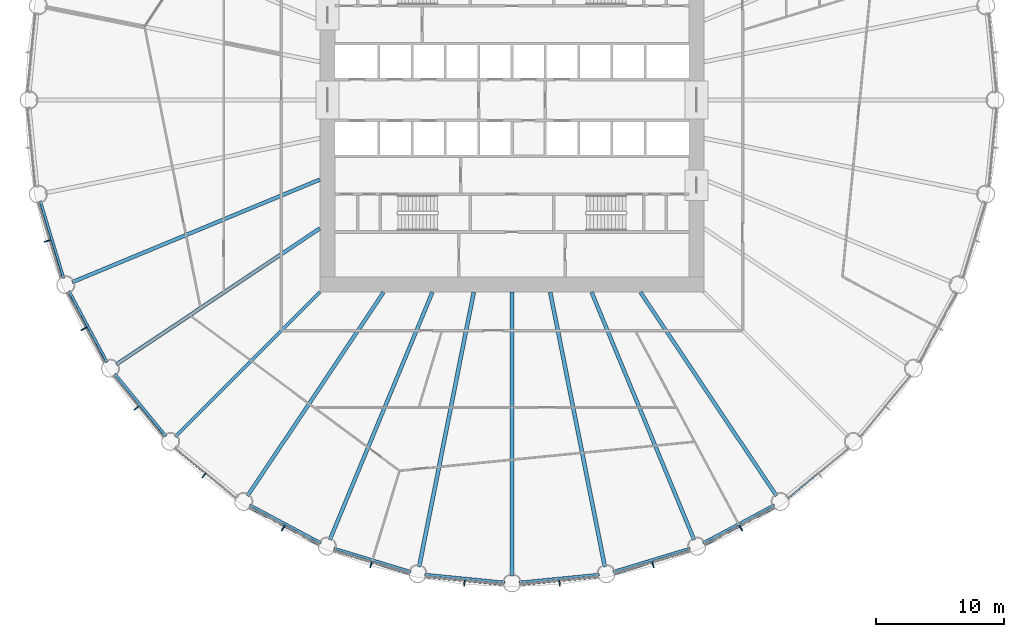
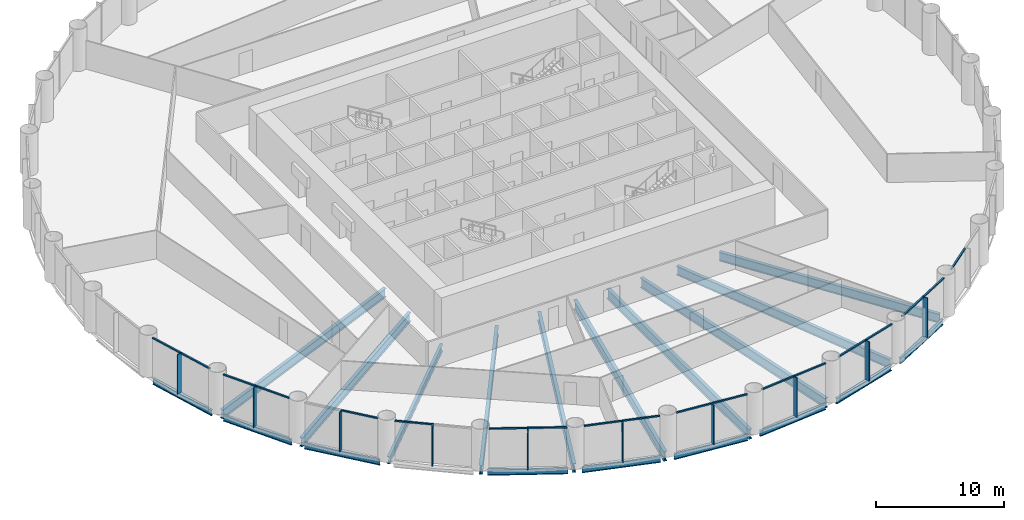
# One storey, part 2 of 14: 29 members, 19 beams, 11 elements without a shape of their own.
"""IFC4 building model written with IfcOpenShell, lengths in metres."""

from ifc_helpers import new_model, si_unit, direction, frame, origin, origin_2d, place, context, subcontext, project, spatial, rectangle, i_section, extrude, material, material_profile, profile_set, type_object, element, aggregate, save


model = new_model("IFC4")

# Units and contexts
model_context = context("Model", 3, precision=1e-05, world=origin(), true_north=direction((0.0, 1.0)))
body_context = subcontext(model_context, "Body", "Model", "MODEL_VIEW")
ifc_project = project(units=[si_unit("LENGTHUNIT", "METRE"), si_unit("AREAUNIT", "SQUARE_METRE"), si_unit("VOLUMEUNIT", "CUBIC_METRE"), si_unit("PLANEANGLEUNIT", "RADIAN"), si_unit("MASSUNIT", "GRAM", prefix="KILO")], contexts=[model_context])

# Site, building, storey
site_placement = place(None, origin())
site = spatial("IfcSite", under=ifc_project, at=site_placement, CompositionType="ELEMENT")
building_placement = place(site_placement, origin())
building = spatial("IfcBuilding", under=site, at=building_placement, Name="Corvane Civic Tower", CompositionType="ELEMENT")
storey_placement = place(building_placement, frame((0.0, 0.0, 49.0)))
storey = spatial("IfcBuildingStorey", under=building, at=storey_placement, Name="L10", CompositionType="ELEMENT", Elevation=49.0)

# Beams
ifc_material_1 = material(Name="Steel ASTM A992 Gr 50", Category="steel")
ifc_material_profile_1 = material_profile(ifc_material_1, i_section(OverallWidth=0.209228515625, OverallDepth=0.533447265625, WebThickness=0.01025390625, FlangeThickness=0.015625, at=origin_2d()), Name="W21X62")
ifc_profile_set_1 = profile_set([ifc_material_profile_1], Name="Steel ASTM A992 Gr 50")
beam_type_1 = type_object("IfcBeamType", Name="EDGE BEAM W21X62", PredefinedType="BEAM", material=ifc_profile_set_1)
for number, where, z_axis, x_axis, name in (
    (1, (20.4599609375, -31.605712890625, -0.566650390625), (-0.881916367906, -0.471405897311, 0.0), (0.471405897311, -0.881916367906, 0.0), "BM-L10-E14"),
    (2, (13.90087890625, -34.989990234375, -0.566650390625), (-0.956943740748, -0.290273452184, 0.0), (0.290273452184, -0.956943740748, 0.0), "BM-L10-E15"),
):
    element("IfcBeam", number, at=place(storey_placement, frame(where, z_axis=z_axis, x_axis=x_axis)), inside=storey, type_object=beam_type_1, Name=name, PredefinedType="BEAM", context=body_context, shape_type="SweptSolid", body=[
        extrude(i_section(OverallWidth=0.209228515625, OverallDepth=0.533447265625, WebThickness=0.01025390625, FlangeThickness=0.015625, at=origin_2d()), origin(), (0.0, 0.0, 1.0), 6.290283203125),
    ])
for number, where, z_axis, x_axis, name in (
    (3, (6.8076171875, -37.029541015625, -0.566650390625), (-0.995186682089, -0.097997284622, 0.0), (0.097997284622, -0.995186682089, 0.0), "BM-L10-E16"),
    (4, (-0.54736328125, -37.64599609375, -0.566650390625), (-0.995186682089, 0.097997284622, 0.0), (-0.097997284622, -0.995186682089, 0.0), "BM-L10-E17"),
):
    element("IfcBeam", number, at=place(storey_placement, frame(where, z_axis=z_axis, x_axis=x_axis)), inside=storey, type_object=beam_type_1, Name=name, PredefinedType="BEAM", context=body_context, shape_type="SweptSolid", body=[
        extrude(i_section(OverallWidth=0.209228515625, OverallDepth=0.533447265625, WebThickness=0.01025390625, FlangeThickness=0.015625, at=origin_2d()), origin(), (0.0, 0.0, 1.0), 6.29052734375),
    ])
for number, where, z_axis, x_axis, name in (
    (5, (-7.88134765625, -36.81591796875, -0.566650390625), (-0.956943740748, 0.290273452184, 0.0), (-0.290273452184, -0.956943740748, 0.0), "BM-L10-E18"),
    (6, (-14.912353515625, -34.571044921875, -0.566650390625), (-0.881916367906, 0.471405897311, 0.0), (-0.471405897311, -0.881916367906, 0.0), "BM-L10-E19"),
):
    element("IfcBeam", number, at=place(storey_placement, frame(where, z_axis=z_axis, x_axis=x_axis)), inside=storey, type_object=beam_type_1, Name=name, PredefinedType="BEAM", context=body_context, shape_type="SweptSolid", body=[
        extrude(i_section(OverallWidth=0.209228515625, OverallDepth=0.533447265625, WebThickness=0.01025390625, FlangeThickness=0.015625, at=origin_2d()), origin(), (0.0, 0.0, 1.0), 6.290283203125),
    ])
beam_1_placement = place(storey_placement, frame((-27.0068359375, -26.23291015625, -0.566650390625), z_axis=(-0.634386787141, 0.773015785286, 0.0), x_axis=(-0.773015785286, -0.634386787141, 0.0)))
element("IfcBeam", 7, at=beam_1_placement, inside=storey, type_object=beam_type_1, Name="BM-L10-E21", PredefinedType="BEAM", context=body_context, shape_type="SweptSolid", body=[
    extrude(i_section(OverallWidth=0.209228515625, OverallDepth=0.533447265625, WebThickness=0.01025390625, FlangeThickness=0.015625, at=origin_2d()), origin(), (0.0, 0.0, 1.0), 6.290771484375),
])
for number, where, z_axis, x_axis, name in (
    (8, (-31.605712890625, -20.4599609375, -0.566650390625), (-0.471405897311, 0.881916367906, 0.0), (-0.881916367906, -0.471405897311, 0.0), "BM-L10-E22"),
    (9, (-34.989990234375, -13.90087890625, -0.566650390625), (-0.290273452184, 0.956943740748, 0.0), (-0.956943740748, -0.290273452184, 0.0), "BM-L10-E23"),
):
    element("IfcBeam", number, at=place(storey_placement, frame(where, z_axis=z_axis, x_axis=x_axis)), inside=storey, type_object=beam_type_1, Name=name, PredefinedType="BEAM", context=body_context, shape_type="SweptSolid", body=[
        extrude(i_section(OverallWidth=0.209228515625, OverallDepth=0.533447265625, WebThickness=0.01025390625, FlangeThickness=0.015625, at=origin_2d()), origin(), (0.0, 0.0, 1.0), 6.290283203125),
    ])
ifc_material_2 = material(Name="Steel ASTM A992 Gr 50", Category="steel")
ifc_material_profile_2 = material_profile(ifc_material_2, i_section(OverallWidth=0.256591796875, OverallDepth=0.693359375, WebThickness=0.014404296875, FlangeThickness=0.023681640625, at=origin_2d()), Name="W27X114")
ifc_profile_set_2 = profile_set([ifc_material_profile_2], Name="Steel ASTM A992 Gr 50")
beam_type_2 = type_object("IfcBeamType", Name="FLOOR GIRDER W27X114", PredefinedType="BEAM", material=ifc_profile_set_2)
beam_2_placement = place(storey_placement, frame((-15.0, -15.0, -0.646728515625), z_axis=(-0.707106781187, -0.707106781187, 0.0), x_axis=(0.707106781187, -0.707106781187, 0.0)))
element("IfcBeam", 10, at=beam_2_placement, inside=storey, type_object=beam_type_2, Name="BM-L10-G21", PredefinedType="BEAM", context=body_context, shape_type="SweptSolid", body=[
    extrude(i_section(OverallWidth=0.256591796875, OverallDepth=0.693359375, WebThickness=0.014404296875, FlangeThickness=0.023681640625, at=origin_2d()), origin(), (0.0, 0.0, 1.0), 15.936767578125),
])
ifc_material_3 = material(Name="Steel ASTM A992 Gr 50", Category="steel")
ifc_material_profile_3 = material_profile(ifc_material_3, i_section(OverallWidth=0.2919921875, OverallDepth=0.8583984375, WebThickness=0.01708984375, FlangeThickness=0.031005859375, at=origin_2d()), Name="W33X169")
ifc_profile_set_3 = profile_set([ifc_material_profile_3], Name="Steel ASTM A992 Gr 50")
beam_type_3 = type_object("IfcBeamType", Name="FLOOR GIRDER W33X169", PredefinedType="BEAM", material=ifc_profile_set_3)
beam_3_placement = place(storey_placement, frame((10.022705078125, -15.0, -0.729248046875), z_axis=(0.555566681385, -0.831471985418, 0.0), x_axis=(0.831471985418, 0.555566681385, 0.0)))
element("IfcBeam", 11, at=beam_3_placement, inside=storey, type_object=beam_type_3, Name="BM-L10-G14", PredefinedType="BEAM", context=body_context, shape_type="SweptSolid", body=[
    extrude(i_section(OverallWidth=0.2919921875, OverallDepth=0.8583984375, WebThickness=0.01708984375, FlangeThickness=0.031005859375, at=origin_2d()), origin(), (0.0, 0.0, 1.0), 19.109619140625),
])
for number, where, z_axis, x_axis, name in (
    (12, (6.213134765625, -15.0, -0.729248046875), (0.382692360381, -0.923875834355, 0.0), (0.923875834355, 0.382692360381, 0.0), "BM-L10-G15"),
    (13, (-6.213134765625, -15.0, -0.729248046875), (-0.382692360381, -0.923875834355, 0.0), (0.923875834355, -0.382692360381, 0.0), "BM-L10-G19"),
):
    element("IfcBeam", number, at=place(storey_placement, frame(where, z_axis=z_axis, x_axis=x_axis)), inside=storey, type_object=beam_type_3, Name=name, PredefinedType="BEAM", context=body_context, shape_type="SweptSolid", body=[
        extrude(i_section(OverallWidth=0.2919921875, OverallDepth=0.8583984375, WebThickness=0.01708984375, FlangeThickness=0.031005859375, at=origin_2d()), origin(), (0.0, 0.0, 1.0), 20.9140625),
    ])
for number, where, z_axis, x_axis, name in (
    (14, (-10.022705078125, -15.0, -0.729248046875), (-0.555566681385, -0.831471985418, 0.0), (0.831471985418, -0.555566681385, 0.0), "BM-L10-G20"),
    (15, (-15.0, -10.022705078125, -0.729248046875), (-0.831471985418, -0.555566681385, 0.0), (0.555566681385, -0.831471985418, 0.0), "BM-L10-G22"),
):
    element("IfcBeam", number, at=place(storey_placement, frame(where, z_axis=z_axis, x_axis=x_axis)), inside=storey, type_object=beam_type_3, Name=name, PredefinedType="BEAM", context=body_context, shape_type="SweptSolid", body=[
        extrude(i_section(OverallWidth=0.2919921875, OverallDepth=0.8583984375, WebThickness=0.01708984375, FlangeThickness=0.031005859375, at=origin_2d()), origin(), (0.0, 0.0, 1.0), 19.109619140625),
    ])
beam_4_placement = place(storey_placement, frame((-15.0, -6.213134765625, -0.729248046875), z_axis=(-0.923875834355, -0.382692360381, 0.0), x_axis=(0.382692360381, -0.923875834355, 0.0)))
element("IfcBeam", 16, at=beam_4_placement, inside=storey, type_object=beam_type_3, Name="BM-L10-G23", PredefinedType="BEAM", context=body_context, shape_type="SweptSolid", body=[
    extrude(i_section(OverallWidth=0.2919921875, OverallDepth=0.8583984375, WebThickness=0.01708984375, FlangeThickness=0.031005859375, at=origin_2d()), origin(), (0.0, 0.0, 1.0), 20.9140625),
])
ifc_material_4 = material(Name="Steel ASTM A992 Gr 50", Category="steel")
ifc_material_profile_4 = material_profile(ifc_material_4, i_section(OverallWidth=0.307373046875, OverallDepth=0.927001953125, WebThickness=0.01953125, FlangeThickness=0.031982421875, at=origin_2d()), Name="W36X194")
ifc_profile_set_4 = profile_set([ifc_material_profile_4], Name="Steel ASTM A992 Gr 50")
beam_type_4 = type_object("IfcBeamType", Name="FLOOR GIRDER W36X194", PredefinedType="BEAM", material=ifc_profile_set_4)
beam_5_placement = place(storey_placement, frame((2.983642578125, -15.0, -0.763671875), z_axis=(0.195089219638, -0.980785499679, 0.0), x_axis=(0.980785499679, 0.195089219638, 0.0)))
element("IfcBeam", 17, at=beam_5_placement, inside=storey, type_object=beam_type_4, Name="BM-L10-G16", PredefinedType="BEAM", context=body_context, shape_type="SweptSolid", body=[
    extrude(i_section(OverallWidth=0.307373046875, OverallDepth=0.927001953125, WebThickness=0.01953125, FlangeThickness=0.031982421875, at=origin_2d()), origin(), (0.0, 0.0, 1.0), 21.856201171875),
])
beam_6_placement = place(storey_placement, frame((0.0, -15.0, -0.763671875), z_axis=(0.0, -1.0, 0.0), x_axis=(1.0, 0.0, 0.0)))
element("IfcBeam", 18, at=beam_6_placement, inside=storey, type_object=beam_type_4, Name="BM-L10-G17", PredefinedType="BEAM", context=body_context, shape_type="SweptSolid", body=[
    extrude(i_section(OverallWidth=0.307373046875, OverallDepth=0.927001953125, WebThickness=0.01953125, FlangeThickness=0.031982421875, at=origin_2d()), origin(), (0.0, 0.0, 1.0), 22.14990234375),
])
beam_7_placement = place(storey_placement, frame((-2.983642578125, -15.0, -0.763671875), z_axis=(-0.195089219638, -0.980785499679, 0.0), x_axis=(0.980785499679, -0.195089219638, 0.0)))
element("IfcBeam", 19, at=beam_7_placement, inside=storey, type_object=beam_type_4, Name="BM-L10-G18", PredefinedType="BEAM", context=body_context, shape_type="SweptSolid", body=[
    extrude(i_section(OverallWidth=0.307373046875, OverallDepth=0.927001953125, WebThickness=0.01953125, FlangeThickness=0.031982421875, at=origin_2d()), origin(), (0.0, 0.0, 1.0), 21.856201171875),
])

# Curtain wall, member
ifc_material_5 = material(Name="Anodised aluminium bronze", Category="aluminium")
curtain_wall_type = type_object("IfcCurtainWallType", Name="TOWER CW-T1 STICK CURTAIN WALL", PredefinedType="NOTDEFINED", material=ifc_material_5)
curtain_wall_1_placement = place(storey_placement, origin())
curtain_wall_1 = element("IfcCurtainWall", 20, at=curtain_wall_1_placement, inside=storey, type_object=curtain_wall_type, Name="Curtain wall CW-T1 L10 bay 13", PredefinedType="NOTDEFINED")
ifc_material_6 = material(Name="Anodised aluminium bronze", Category="aluminium")
ifc_material_profile_5 = material_profile(ifc_material_6, rectangle(XDim=0.139892578125, YDim=0.1201171875, at=origin_2d()), Name="TOWER CW-T1 TRANSOM 140x120")
ifc_profile_set_5 = profile_set([ifc_material_profile_5], Name="Anodised aluminium bronze")
member_type_1 = type_object("IfcMemberType", Name="TOWER CW-T1 TRANSOM 140x120", PredefinedType="USERDEFINED", material=ifc_profile_set_5)
member_1_placement = place(storey_placement, frame((23.88427734375, -29.166015625, 3.68994140625), z_axis=(-0.773041738279, -0.634355161466, 0.0), x_axis=(0.634355161466, -0.773041738279, 0.0)))
member_1 = element("IfcMember", 21, at=member_1_placement, type_object=member_type_1, Name="Transom CW-T1 L10 13.2", ObjectType="TRANSOM", PredefinedType="USERDEFINED", context=body_context, shape_type="SweptSolid", body=[
    extrude(rectangle(XDim=0.139892578125, YDim=0.1201171875, at=origin_2d()), origin(), (0.0, 0.0, 1.0), 3.008544921875),
])
aggregate(curtain_wall_1, [member_1])

# Curtain wall, members
curtain_wall_2_placement = place(storey_placement, origin())
curtain_wall_2 = element("IfcCurtainWall", 22, at=curtain_wall_2_placement, inside=storey, type_object=curtain_wall_type, Name="Curtain wall CW-T1 L10 bay 14", PredefinedType="NOTDEFINED")
member_2_placement = place(storey_placement, frame((20.459228515625, -31.809326171875, 3.68994140625), z_axis=(-0.881923525532, -0.471392506424, 0.0), x_axis=(0.471392506424, -0.881923525532, 0.0)))
member_2 = element("IfcMember", 23, at=member_2_placement, type_object=member_type_1, Name="Transom CW-T1 L10 14.1", ObjectType="TRANSOM", PredefinedType="USERDEFINED", context=body_context, shape_type="SweptSolid", body=[
    extrude(rectangle(XDim=0.139892578125, YDim=0.1201171875, at=origin_2d()), origin(), (0.0, 0.0, 1.0), 3.008544921875),
])
member_3_placement = place(storey_placement, frame((17.7353515625, -33.26513671875, 3.68994140625), z_axis=(-0.881923525532, -0.471392506424, 0.0), x_axis=(0.471392506424, -0.881923525532, 0.0)))
member_3 = element("IfcMember", 24, at=member_3_placement, type_object=member_type_1, Name="Transom CW-T1 L10 14.2", ObjectType="TRANSOM", PredefinedType="USERDEFINED", context=body_context, shape_type="SweptSolid", body=[
    extrude(rectangle(XDim=0.139892578125, YDim=0.1201171875, at=origin_2d()), origin(), (0.0, 0.0, 1.0), 3.008544921875),
])

curtain_wall_3_placement = place(storey_placement, origin())
curtain_wall_3 = element("IfcCurtainWall", 25, at=curtain_wall_3_placement, inside=storey, type_object=curtain_wall_type, Name="Curtain wall CW-T1 L10 bay 15", PredefinedType="NOTDEFINED")
member_4_placement = place(storey_placement, frame((13.8603515625, -35.189453125, 3.68994140625), z_axis=(-0.956941780555, -0.290279914268, 0.0), x_axis=(0.290279914268, -0.956941780555, 0.0)))
member_4 = element("IfcMember", 26, at=member_4_placement, type_object=member_type_1, Name="Transom CW-T1 L10 15.1", ObjectType="TRANSOM", PredefinedType="USERDEFINED", context=body_context, shape_type="SweptSolid", body=[
    extrude(rectangle(XDim=0.139892578125, YDim=0.1201171875, at=origin_2d()), origin(), (0.0, 0.0, 1.0), 3.008544921875),
])
member_5_placement = place(storey_placement, frame((10.90478515625, -36.0859375, 3.68994140625), z_axis=(-0.956941780555, -0.290279914268, 0.0), x_axis=(0.290279914268, -0.956941780555, 0.0)))
member_5 = element("IfcMember", 27, at=member_5_placement, type_object=member_type_1, Name="Transom CW-T1 L10 15.2", ObjectType="TRANSOM", PredefinedType="USERDEFINED", context=body_context, shape_type="SweptSolid", body=[
    extrude(rectangle(XDim=0.139892578125, YDim=0.1201171875, at=origin_2d()), origin(), (0.0, 0.0, 1.0), 3.008544921875),
])

curtain_wall_4_placement = place(storey_placement, origin())
curtain_wall_4 = element("IfcCurtainWall", 28, at=curtain_wall_4_placement, inside=storey, type_object=curtain_wall_type, Name="Curtain wall CW-T1 L10 bay 16", PredefinedType="NOTDEFINED")
member_6_placement = place(storey_placement, frame((6.72900390625, -37.21728515625, 3.68994140625), z_axis=(-0.995191836722, -0.097944923917, 0.0), x_axis=(0.097944923917, -0.995191836722, 0.0)))
member_6 = element("IfcMember", 29, at=member_6_placement, type_object=member_type_1, Name="Transom CW-T1 L10 16.1", ObjectType="TRANSOM", PredefinedType="USERDEFINED", context=body_context, shape_type="SweptSolid", body=[
    extrude(rectangle(XDim=0.139892578125, YDim=0.1201171875, at=origin_2d()), origin(), (0.0, 0.0, 1.0), 3.008544921875),
])
member_7_placement = place(storey_placement, frame((3.6552734375, -37.52001953125, 3.68994140625), z_axis=(-0.995191836722, -0.097944923917, 0.0), x_axis=(0.097944923917, -0.995191836722, 0.0)))
member_7 = element("IfcMember", 30, at=member_7_placement, type_object=member_type_1, Name="Transom CW-T1 L10 16.2", ObjectType="TRANSOM", PredefinedType="USERDEFINED", context=body_context, shape_type="SweptSolid", body=[
    extrude(rectangle(XDim=0.139892578125, YDim=0.1201171875, at=origin_2d()), origin(), (0.0, 0.0, 1.0), 3.008544921875),
])

curtain_wall_5_placement = place(storey_placement, origin())
curtain_wall_5 = element("IfcCurtainWall", 31, at=curtain_wall_5_placement, inside=storey, type_object=curtain_wall_type, Name="Curtain wall CW-T1 L10 bay 17", PredefinedType="NOTDEFINED")
member_8_placement = place(storey_placement, frame((-0.6611328125, -37.814697265625, 3.68994140625), z_axis=(-0.995191836722, 0.097944923917, 0.0), x_axis=(-0.097944923917, -0.995191836722, 0.0)))
member_8 = element("IfcMember", 32, at=member_8_placement, type_object=member_type_1, Name="Transom CW-T1 L10 17.1", ObjectType="TRANSOM", PredefinedType="USERDEFINED", context=body_context, shape_type="SweptSolid", body=[
    extrude(rectangle(XDim=0.139892578125, YDim=0.1201171875, at=origin_2d()), origin(), (0.0, 0.0, 1.0), 3.008544921875),
])
member_9_placement = place(storey_placement, frame((-3.73486328125, -37.511962890625, 3.68994140625), z_axis=(-0.995191836722, 0.097944923917, 0.0), x_axis=(-0.097944923917, -0.995191836722, 0.0)))
member_9 = element("IfcMember", 33, at=member_9_placement, type_object=member_type_1, Name="Transom CW-T1 L10 17.2", ObjectType="TRANSOM", PredefinedType="USERDEFINED", context=body_context, shape_type="SweptSolid", body=[
    extrude(rectangle(XDim=0.139892578125, YDim=0.1201171875, at=origin_2d()), origin(), (0.0, 0.0, 1.0), 3.008544921875),
])

curtain_wall_6_placement = place(storey_placement, origin())
curtain_wall_6 = element("IfcCurtainWall", 34, at=curtain_wall_6_placement, inside=storey, type_object=curtain_wall_type, Name="Curtain wall CW-T1 L10 bay 18", PredefinedType="NOTDEFINED")
member_10_placement = place(storey_placement, frame((-8.02587890625, -36.959228515625, 3.68994140625), z_axis=(-0.956941780555, 0.290279914268, 0.0), x_axis=(-0.290279914268, -0.956941780555, 0.0)))
member_10 = element("IfcMember", 35, at=member_10_placement, type_object=member_type_1, Name="Transom CW-T1 L10 18.1", ObjectType="TRANSOM", PredefinedType="USERDEFINED", context=body_context, shape_type="SweptSolid", body=[
    extrude(rectangle(XDim=0.139892578125, YDim=0.1201171875, at=origin_2d()), origin(), (0.0, 0.0, 1.0), 3.008544921875),
])
member_11_placement = place(storey_placement, frame((-10.9814453125, -36.062744140625, 3.68994140625), z_axis=(-0.956941780555, 0.290279914268, 0.0), x_axis=(-0.290279914268, -0.956941780555, 0.0)))
member_11 = element("IfcMember", 36, at=member_11_placement, type_object=member_type_1, Name="Transom CW-T1 L10 18.2", ObjectType="TRANSOM", PredefinedType="USERDEFINED", context=body_context, shape_type="SweptSolid", body=[
    extrude(rectangle(XDim=0.139892578125, YDim=0.1201171875, at=origin_2d()), origin(), (0.0, 0.0, 1.0), 3.008544921875),
])

curtain_wall_7_placement = place(storey_placement, origin())
curtain_wall_7 = element("IfcCurtainWall", 37, at=curtain_wall_7_placement, inside=storey, type_object=curtain_wall_type, Name="Curtain wall CW-T1 L10 bay 19", PredefinedType="NOTDEFINED")
member_12_placement = place(storey_placement, frame((-15.08203125, -34.683349609375, 3.68994140625), z_axis=(-0.881923525532, 0.471392506424, 0.0), x_axis=(-0.471392506424, -0.881923525532, 0.0)))
member_12 = element("IfcMember", 38, at=member_12_placement, type_object=member_type_1, Name="Transom CW-T1 L10 19.1", ObjectType="TRANSOM", PredefinedType="USERDEFINED", context=body_context, shape_type="SweptSolid", body=[
    extrude(rectangle(XDim=0.139892578125, YDim=0.1201171875, at=origin_2d()), origin(), (0.0, 0.0, 1.0), 3.008544921875),
])
member_13_placement = place(storey_placement, frame((-17.805908203125, -33.2275390625, 3.68994140625), z_axis=(-0.881923525532, 0.471392506424, 0.0), x_axis=(-0.471392506424, -0.881923525532, 0.0)))
member_13 = element("IfcMember", 39, at=member_13_placement, type_object=member_type_1, Name="Transom CW-T1 L10 19.2", ObjectType="TRANSOM", PredefinedType="USERDEFINED", context=body_context, shape_type="SweptSolid", body=[
    extrude(rectangle(XDim=0.139892578125, YDim=0.1201171875, at=origin_2d()), origin(), (0.0, 0.0, 1.0), 3.008544921875),
])

# Curtain wall, member
curtain_wall_8_placement = place(storey_placement, origin())
curtain_wall_8 = element("IfcCurtainWall", 40, at=curtain_wall_8_placement, inside=storey, type_object=curtain_wall_type, Name="Curtain wall CW-T1 L10 bay 20", PredefinedType="NOTDEFINED")
member_14_placement = place(storey_placement, frame((-23.946044921875, -29.115234375, 3.68994140625), z_axis=(-0.773001943873, 0.634403652865, 0.0), x_axis=(-0.634403652865, -0.773001943873, 0.0)))
member_14 = element("IfcMember", 41, at=member_14_placement, type_object=member_type_1, Name="Transom CW-T1 L10 20.2", ObjectType="TRANSOM", PredefinedType="USERDEFINED", context=body_context, shape_type="SweptSolid", body=[
    extrude(rectangle(XDim=0.139892578125, YDim=0.1201171875, at=origin_2d()), origin(), (0.0, 0.0, 1.0), 3.008544921875),
])

curtain_wall_9_placement = place(storey_placement, origin())
curtain_wall_9 = element("IfcCurtainWall", 42, at=curtain_wall_9_placement, inside=storey, type_object=curtain_wall_type, Name="Curtain wall CW-T1 L10 bay 21", PredefinedType="NOTDEFINED")
member_15_placement = place(storey_placement, frame((-27.20654296875, -26.271728515625, 3.68994140625), z_axis=(-0.634403652865, 0.773001943873, 0.0), x_axis=(-0.773001943873, -0.634403652865, 0.0)))
member_15 = element("IfcMember", 43, at=member_15_placement, type_object=member_type_1, Name="Transom CW-T1 L10 21.1", ObjectType="TRANSOM", PredefinedType="USERDEFINED", context=body_context, shape_type="SweptSolid", body=[
    extrude(rectangle(XDim=0.139892578125, YDim=0.1201171875, at=origin_2d()), origin(), (0.0, 0.0, 1.0), 3.008544921875),
])

# Curtain wall, members
curtain_wall_10_placement = place(storey_placement, origin())
curtain_wall_10 = element("IfcCurtainWall", 44, at=curtain_wall_10_placement, inside=storey, type_object=curtain_wall_type, Name="Curtain wall CW-T1 L10 bay 22", PredefinedType="NOTDEFINED")
member_16_placement = place(storey_placement, frame((-31.809326171875, -20.459228515625, 3.68994140625), z_axis=(-0.471392506424, 0.881923525532, 0.0), x_axis=(-0.881923525532, -0.471392506424, 0.0)))
member_16 = element("IfcMember", 45, at=member_16_placement, type_object=member_type_1, Name="Transom CW-T1 L10 22.1", ObjectType="TRANSOM", PredefinedType="USERDEFINED", context=body_context, shape_type="SweptSolid", body=[
    extrude(rectangle(XDim=0.139892578125, YDim=0.1201171875, at=origin_2d()), origin(), (0.0, 0.0, 1.0), 3.008544921875),
])
member_17_placement = place(storey_placement, frame((-33.26513671875, -17.7353515625, 3.68994140625), z_axis=(-0.471392506424, 0.881923525532, 0.0), x_axis=(-0.881923525532, -0.471392506424, 0.0)))
member_17 = element("IfcMember", 46, at=member_17_placement, type_object=member_type_1, Name="Transom CW-T1 L10 22.2", ObjectType="TRANSOM", PredefinedType="USERDEFINED", context=body_context, shape_type="SweptSolid", body=[
    extrude(rectangle(XDim=0.139892578125, YDim=0.1201171875, at=origin_2d()), origin(), (0.0, 0.0, 1.0), 3.008544921875),
])

curtain_wall_11_placement = place(storey_placement, origin())
curtain_wall_11 = element("IfcCurtainWall", 47, at=curtain_wall_11_placement, inside=storey, type_object=curtain_wall_type, Name="Curtain wall CW-T1 L10 bay 23", PredefinedType="NOTDEFINED")
member_18_placement = place(storey_placement, frame((-35.189453125, -13.8603515625, 3.68994140625), z_axis=(-0.290279914268, 0.956941780555, 0.0), x_axis=(-0.956941780555, -0.290279914268, 0.0)))
member_18 = element("IfcMember", 48, at=member_18_placement, type_object=member_type_1, Name="Transom CW-T1 L10 23.1", ObjectType="TRANSOM", PredefinedType="USERDEFINED", context=body_context, shape_type="SweptSolid", body=[
    extrude(rectangle(XDim=0.139892578125, YDim=0.1201171875, at=origin_2d()), origin(), (0.0, 0.0, 1.0), 3.008544921875),
])
member_19_placement = place(storey_placement, frame((-36.0859375, -10.90478515625, 3.68994140625), z_axis=(-0.290279914268, 0.956941780555, 0.0), x_axis=(-0.956941780555, -0.290279914268, 0.0)))
member_19 = element("IfcMember", 49, at=member_19_placement, type_object=member_type_1, Name="Transom CW-T1 L10 23.2", ObjectType="TRANSOM", PredefinedType="USERDEFINED", context=body_context, shape_type="SweptSolid", body=[
    extrude(rectangle(XDim=0.139892578125, YDim=0.1201171875, at=origin_2d()), origin(), (0.0, 0.0, 1.0), 3.008544921875),
])

# Member
ifc_material_7 = material(Name="Anodised aluminium bronze", Category="aluminium")
ifc_material_profile_6 = material_profile(ifc_material_7, rectangle(XDim=0.080078125, YDim=0.5, at=origin_2d()), Name="TOWER FIN MULLION 80x500 BRONZE")
ifc_profile_set_6 = profile_set([ifc_material_profile_6], Name="Anodised aluminium bronze")
member_type_2 = type_object("IfcMemberType", Name="TOWER FIN MULLION 80x500 BRONZE", PredefinedType="MULLION", material=ifc_profile_set_6)
member_20_placement = place(storey_placement, frame((17.86474609375, -33.422607421875, 0.0), z_axis=(0.0, 0.0, 1.0), x_axis=(-0.881917528864, -0.471403725359, 0.0)))
member_20 = element("IfcMember", 50, at=member_20_placement, type_object=member_type_2, Name="Fin mullion 14 L10", PredefinedType="MULLION", context=body_context, shape_type="SweptSolid", body=[
    extrude(rectangle(XDim=0.080078125, YDim=0.5, at=origin_2d()), origin(), (0.0, 0.0, 1.0), 3.75),
])

aggregate(curtain_wall_2, [member_20, member_2, member_3])

member_21_placement = place(storey_placement, frame((11.001220703125, -36.265625, 0.0), z_axis=(0.0, 0.0, 1.0), x_axis=(-0.956942240606, -0.290278397654, 0.0)))
member_21 = element("IfcMember", 51, at=member_21_placement, type_object=member_type_2, Name="Fin mullion 15 L10", PredefinedType="MULLION", context=body_context, shape_type="SweptSolid", body=[
    extrude(rectangle(XDim=0.080078125, YDim=0.5, at=origin_2d()), origin(), (0.0, 0.0, 1.0), 3.75),
])

aggregate(curtain_wall_3, [member_21, member_4, member_5])

member_22_placement = place(storey_placement, frame((3.714599609375, -37.715087890625, 0.0), z_axis=(0.0, 0.0, 1.0), x_axis=(-0.995185800248, -0.098006239521, 0.0)))
member_22 = element("IfcMember", 52, at=member_22_placement, type_object=member_type_2, Name="Fin mullion 16 L10", PredefinedType="MULLION", context=body_context, shape_type="SweptSolid", body=[
    extrude(rectangle(XDim=0.080078125, YDim=0.5, at=origin_2d()), origin(), (0.0, 0.0, 1.0), 3.75),
])

aggregate(curtain_wall_4, [member_22, member_6, member_7])

member_23_placement = place(storey_placement, frame((-3.714599609375, -37.715087890625, 0.0), z_axis=(0.0, 0.0, 1.0), x_axis=(-0.995185800248, 0.098006239521, 0.0)))
member_23 = element("IfcMember", 53, at=member_23_placement, type_object=member_type_2, Name="Fin mullion 17 L10", PredefinedType="MULLION", context=body_context, shape_type="SweptSolid", body=[
    extrude(rectangle(XDim=0.080078125, YDim=0.5, at=origin_2d()), origin(), (0.0, 0.0, 1.0), 3.75),
])

aggregate(curtain_wall_5, [member_23, member_8, member_9])

member_24_placement = place(storey_placement, frame((-11.001220703125, -36.265625, 0.0), z_axis=(0.0, 0.0, 1.0), x_axis=(-0.956942240606, 0.290278397654, 0.0)))
member_24 = element("IfcMember", 54, at=member_24_placement, type_object=member_type_2, Name="Fin mullion 18 L10", PredefinedType="MULLION", context=body_context, shape_type="SweptSolid", body=[
    extrude(rectangle(XDim=0.080078125, YDim=0.5, at=origin_2d()), origin(), (0.0, 0.0, 1.0), 3.75),
])

aggregate(curtain_wall_6, [member_24, member_10, member_11])

member_25_placement = place(storey_placement, frame((-17.86474609375, -33.422607421875, 0.0), z_axis=(0.0, 0.0, 1.0), x_axis=(-0.881917528864, 0.471403725359, 0.0)))
member_25 = element("IfcMember", 55, at=member_25_placement, type_object=member_type_2, Name="Fin mullion 19 L10", PredefinedType="MULLION", context=body_context, shape_type="SweptSolid", body=[
    extrude(rectangle(XDim=0.080078125, YDim=0.5, at=origin_2d()), origin(), (0.0, 0.0, 1.0), 3.75),
])

aggregate(curtain_wall_7, [member_25, member_12, member_13])

member_26_placement = place(storey_placement, frame((-24.0419921875, -29.295166015625, 0.0), z_axis=(0.0, 0.0, 1.0), x_axis=(-0.773007224463, 0.634397218569, 0.0)))
member_26 = element("IfcMember", 56, at=member_26_placement, type_object=member_type_2, Name="Fin mullion 20 L10", PredefinedType="MULLION", context=body_context, shape_type="SweptSolid", body=[
    extrude(rectangle(XDim=0.080078125, YDim=0.5, at=origin_2d()), origin(), (0.0, 0.0, 1.0), 3.75),
])

aggregate(curtain_wall_8, [member_26, member_14])

member_27_placement = place(storey_placement, frame((-29.295166015625, -24.0419921875, 0.0), z_axis=(0.0, 0.0, 1.0), x_axis=(-0.634397218569, 0.773007224463, 0.0)))
member_27 = element("IfcMember", 57, at=member_27_placement, type_object=member_type_2, Name="Fin mullion 21 L10", PredefinedType="MULLION", context=body_context, shape_type="SweptSolid", body=[
    extrude(rectangle(XDim=0.080078125, YDim=0.5, at=origin_2d()), origin(), (0.0, 0.0, 1.0), 3.75),
])

aggregate(curtain_wall_9, [member_27, member_15])

member_28_placement = place(storey_placement, frame((-33.422607421875, -17.86474609375, 0.0), z_axis=(0.0, 0.0, 1.0), x_axis=(-0.471403725359, 0.881917528864, 0.0)))
member_28 = element("IfcMember", 58, at=member_28_placement, type_object=member_type_2, Name="Fin mullion 22 L10", PredefinedType="MULLION", context=body_context, shape_type="SweptSolid", body=[
    extrude(rectangle(XDim=0.080078125, YDim=0.5, at=origin_2d()), origin(), (0.0, 0.0, 1.0), 3.75),
])

aggregate(curtain_wall_10, [member_28, member_16, member_17])

member_29_placement = place(storey_placement, frame((-36.265625, -11.001220703125, 0.0), z_axis=(0.0, 0.0, 1.0), x_axis=(-0.290278397654, 0.956942240606, 0.0)))
member_29 = element("IfcMember", 59, at=member_29_placement, type_object=member_type_2, Name="Fin mullion 23 L10", PredefinedType="MULLION", context=body_context, shape_type="SweptSolid", body=[
    extrude(rectangle(XDim=0.080078125, YDim=0.5, at=origin_2d()), origin(), (0.0, 0.0, 1.0), 3.75),
])

aggregate(curtain_wall_11, [member_29, member_18, member_19])

save(model, "model.ifc")
